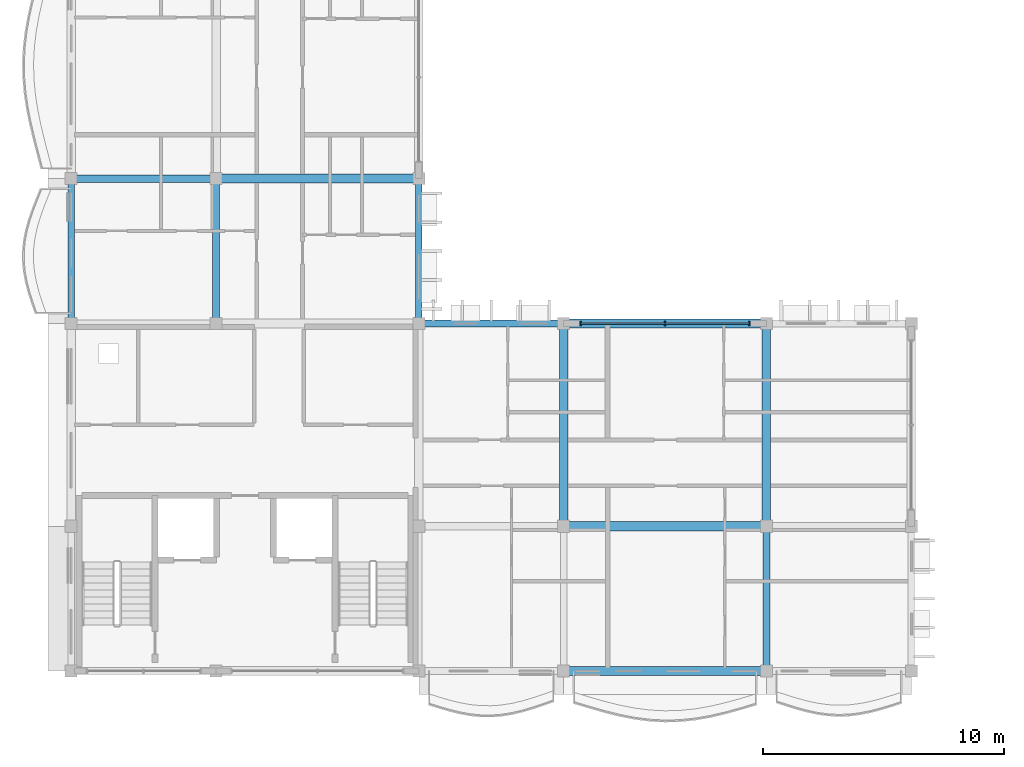
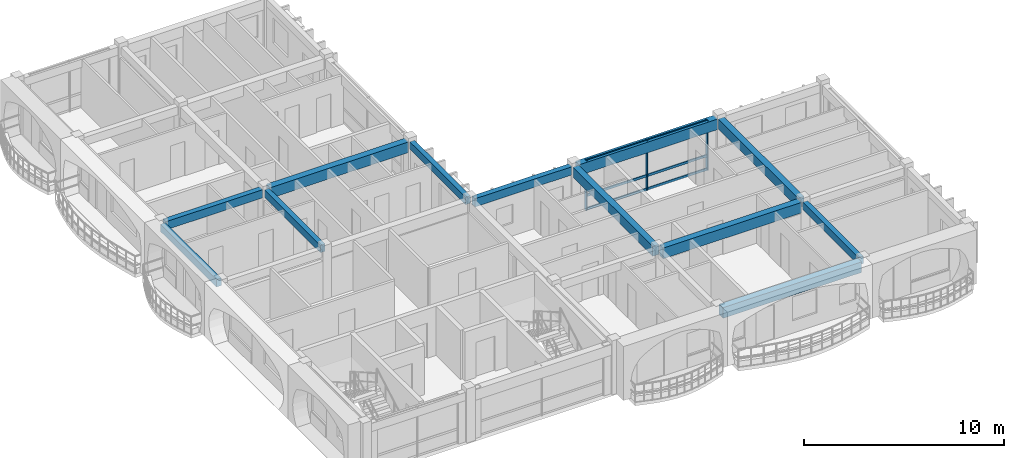
# One storey, part 4 of 54: 12 beams, 6 members, 1 element without a shape of its own.
"""IFC4 building model written with IfcOpenShell, lengths in metres."""

import ifcopenshell
import ifcopenshell.guid

model = None  # the IFC model being written
_history = None  # IfcOwnerHistory: only IFC2X3 demands one
_inside = {}  # id of a spatial element -> (the spatial element, [elements in it])
_under = {}  # id of a project, library or spatial element -> (it, [spatial elements below it])
_declared = {}  # id of a project -> (the project, [libraries it declares])
_typed = {}  # id of a type object -> (the type object, [elements of that type])
_made_of = {}  # id of a material, layer set ... -> (it, [elements and type objects made of it])


def new_model(schema):
    """Start an empty IFC model of exactly this schema.

    Asked for "IFC4X3", IfcOpenShell would pick the latest addendum, in which some entities
    have other attributes; the version numbers below select the first issue.
    IFC2X3 requires an IfcOwnerHistory on every rooted entity: one is made here for all.
    """
    global model, _history
    if schema == "IFC4X3":
        model = ifcopenshell.file(schema_version=(4, 3, 0, 0))
    else:
        model = ifcopenshell.file(schema=schema)
    _inside.clear()
    _under.clear()
    _declared.clear()
    _typed.clear()
    _made_of.clear()
    _history = None
    if model.schema == "IFC2X3":
        org = make("IfcOrganization", Name="unknown")
        user = make(
            "IfcPersonAndOrganization",
            ThePerson=make("IfcPerson", FamilyName="unknown"),
            TheOrganization=org,
        )
        app = make(
            "IfcApplication",
            ApplicationDeveloper=org,
            Version="unknown",
            ApplicationFullName="unknown",
            ApplicationIdentifier="unknown",
        )
        _history = make(
            "IfcOwnerHistory",
            OwningUser=user,
            OwningApplication=app,
            ChangeAction="ADDED",
            CreationDate=0,
        )
    return model


def make(cls, **values):
    """One entity of the class cls with the attributes given. An attribute that is None is left unset."""
    return model.create_entity(
        cls, **{name: value for name, value in values.items() if value is not None}
    )


def rooted(cls, **values):
    """An entity with a GlobalId (a new one), such as an element, a storey or a relation."""
    return make(cls, GlobalId=ifcopenshell.guid.new(), OwnerHistory=_history, **values)


def si_unit(unit_type, name, prefix=None):
    """IfcSIUnit, for example si_unit("LENGTHUNIT", "METRE", prefix="MILLI")."""
    return make("IfcSIUnit", UnitType=unit_type, Prefix=prefix, Name=name)


def assignment(units):
    """IfcUnitAssignment: the units of a project."""
    return None if units is None else make("IfcUnitAssignment", Units=units)


def point(xyz):
    """IfcCartesianPoint."""
    return None if xyz is None else make("IfcCartesianPoint", Coordinates=xyz)


def direction(xyz):
    """IfcDirection."""
    return None if xyz is None else make("IfcDirection", DirectionRatios=xyz)


def frame(location, z_axis=None, x_axis=None):
    """IfcAxis2Placement3D, a coordinate frame: its origin and axes. An axis left out is left unset."""
    return make(
        "IfcAxis2Placement3D",
        Location=point(location),
        Axis=direction(z_axis),
        RefDirection=direction(x_axis),
    )


def frame_2d(location, x_axis=None):
    """IfcAxis2Placement2D, a coordinate frame in the plane: its origin and x axis."""
    return make(
        "IfcAxis2Placement2D", Location=point(location), RefDirection=direction(x_axis)
    )


def origin():
    """The frame at (0, 0, 0) with its axes left unset."""
    return frame((0.0, 0.0, 0.0))


def origin_2d():
    """The frame at (0, 0) in the plane with its x axis left unset."""
    return frame_2d((0.0, 0.0))


def place(relative_to, where):
    """IfcLocalPlacement: puts the frame where relative to a parent placement (None: the world)."""
    return make(
        "IfcLocalPlacement", PlacementRelTo=relative_to, RelativePlacement=where
    )


def context(
    kind, dimensions, precision=None, world=None, true_north=None, identifier=None
):
    """IfcGeometricRepresentationContext, for example the 3D "Model" context."""
    return make(
        "IfcGeometricRepresentationContext",
        ContextIdentifier=identifier,
        ContextType=kind,
        CoordinateSpaceDimension=dimensions,
        Precision=precision,
        WorldCoordinateSystem=world,
        TrueNorth=true_north,
    )


def subcontext(parent, identifier, kind, view, scale=None):
    """IfcGeometricRepresentationSubContext, for example "Body" below "Model"."""
    return make(
        "IfcGeometricRepresentationSubContext",
        ContextIdentifier=identifier,
        ContextType=kind,
        ParentContext=parent,
        TargetScale=scale,
        TargetView=view,
    )


def project(units=None, contexts=None):
    """IfcProject with its units and contexts."""
    return rooted(
        "IfcProject",
        Name="project",
        RepresentationContexts=contexts,
        UnitsInContext=assignment(units),
    )


def spatial(cls, under=None, at=None, **own):
    """A site, building, storey or space (cls), placed at a placement, below another one or the project."""
    s = rooted(cls, ObjectPlacement=at, **own)
    if under is not None:
        _under.setdefault(under.id(), (under, []))[1].append(s)
    return s


def profile(cls, at=None, kind="AREA", **sizes):
    """A parametric profile (cls). Its sizes go by their IFC names, for example OverallWidth=200.0."""
    return make(cls, ProfileType=kind, Position=at, **sizes)


def rectangle(**sizes):
    """IfcRectangleProfileDef."""
    return profile("IfcRectangleProfileDef", **sizes)


def extrude(swept, where, along, depth):
    """IfcExtrudedAreaSolid: the profile swept, set in the frame where, extruded along a direction by depth."""
    return make(
        "IfcExtrudedAreaSolid",
        SweptArea=swept,
        Position=where,
        ExtrudedDirection=direction(along),
        Depth=depth,
    )


def shape(context_of_items, identifier, shape_type, items):
    """IfcShapeRepresentation: the items that make up one representation, for example the "Body"."""
    return make(
        "IfcShapeRepresentation",
        ContextOfItems=context_of_items,
        RepresentationIdentifier=identifier,
        RepresentationType=shape_type,
        Items=items,
    )


def material(Name=None, Category=None):
    """IfcMaterial."""
    return make("IfcMaterial", Name=Name, Category=Category)


def material_profile(
    of_material, cross_section, Name=None, Category=None, Priority=None
):
    """IfcMaterialProfile: a cross section and its material."""
    return make(
        "IfcMaterialProfile",
        Name=Name,
        Material=of_material,
        Profile=cross_section,
        Priority=Priority,
        Category=Category,
    )


def profile_set(profiles, Name=None, composite=None):
    """IfcMaterialProfileSet."""
    return make(
        "IfcMaterialProfileSet",
        Name=Name,
        MaterialProfiles=profiles,
        CompositeProfile=composite,
    )


def made_of(thing, what):
    """Note that an element or type object is made of a material, layer set ...; save() writes the relation."""
    if what is not None:
        _made_of.setdefault(what.id(), (what, []))[1].append(thing)
    return thing


def type_object(cls, material=None, **own):
    """A type object (cls), such as IfcWallType, which elements share."""
    return made_of(rooted(cls, **own), material)


def element(
    cls,
    number,
    at=None,
    inside=None,
    cuts=None,
    type_object=None,
    material=None,
    context=None,
    identifier="Body",
    shape_type=None,
    held_by="IfcProductDefinitionShape",
    body=None,
    shapes=None,
    **own,
):
    """One element of the class cls, such as IfcWall. Its Tag is "e" and its number.

    at: its placement. inside: the storey or other place that contains it. cuts: it is an
    opening in that element (IfcRelVoidsElement). A single representation is given by context,
    identifier, shape_type and body (its items); several are given by shapes. held_by: the class
    of the entity that holds the representations. save() writes the other relations.
    """
    e = rooted(cls, Tag="e%d" % number, ObjectPlacement=at, **own)
    if body is not None:
        shapes = [shape(context, identifier, shape_type, body)]
    if shapes is not None:
        e.Representation = make(held_by, Representations=shapes)
    if inside is not None:
        _inside.setdefault(inside.id(), (inside, []))[1].append(e)
    if cuts is not None:
        rooted(
            "IfcRelVoidsElement", RelatingBuildingElement=cuts, RelatedOpeningElement=e
        )
    if type_object is not None:
        _typed.setdefault(type_object.id(), (type_object, []))[1].append(e)
    return made_of(e, material)


def aggregate(whole, parts):
    """IfcRelAggregates: a whole, such as a stair, and the parts it consists of."""
    return rooted("IfcRelAggregates", RelatingObject=whole, RelatedObjects=parts)


def save(model, path):
    """Write the relations noted so far, then the file.

    IfcRelAggregates (storeys below a building ...), IfcRelContainedInSpatialStructure (elements
    in a storey), IfcRelDefinesByType, IfcRelAssociatesMaterial and IfcRelDeclares: one each for
    every whole, place, type object, material and project.
    """
    for whole, parts in _under.values():
        aggregate(whole, parts)
    for where, things in _inside.values():
        rooted(
            "IfcRelContainedInSpatialStructure",
            RelatedElements=things,
            RelatingStructure=where,
        )
    for kind, things in _typed.values():
        rooted("IfcRelDefinesByType", RelatedObjects=things, RelatingType=kind)
    for what, things in _made_of.values():
        rooted("IfcRelAssociatesMaterial", RelatedObjects=things, RelatingMaterial=what)
    for by, libraries in _declared.values():
        rooted("IfcRelDeclares", RelatingContext=by, RelatedDefinitions=libraries)
    model.write(path)


model = new_model("IFC4")

# Units and contexts
model_context = context("Model", 3, precision=1e-05, world=origin(), true_north=direction((0.0, 1.0)))
body_context = subcontext(model_context, "Body", "Model", "MODEL_VIEW")
ifc_project = project(units=[si_unit("LENGTHUNIT", "METRE"), si_unit("AREAUNIT", "SQUARE_METRE"), si_unit("VOLUMEUNIT", "CUBIC_METRE"), si_unit("PLANEANGLEUNIT", "RADIAN"), si_unit("MASSUNIT", "GRAM", prefix="KILO"), si_unit("THERMODYNAMICTEMPERATUREUNIT", "KELVIN")], contexts=[model_context])

# Site, building, storey
site_placement = place(None, origin())
site = spatial("IfcSite", under=ifc_project, at=site_placement, CompositionType="ELEMENT")
building_placement = place(site_placement, origin())
building = spatial("IfcBuilding", under=site, at=building_placement, Name="Thalorik Housing Commons", CompositionType="ELEMENT")
storey_placement = place(building_placement, frame((0.0, 0.0, 31.199951171875)))
storey = spatial("IfcBuildingStorey", under=building, at=storey_placement, Name="L09", CompositionType="ELEMENT", Elevation=31.199951171875)

# Curtain wall, members
ifc_material_1 = material(Name="Anodised aluminium and solar-control low-E glass", Category="aluminium")
curtain_wall_type = type_object("IfcCurtainWallType", Name="ARC-CW-LOUNGE", PredefinedType="USERDEFINED", material=ifc_material_1)
curtain_wall_placement = place(storey_placement, origin())
curtain_wall = element("IfcCurtainWall", 1, at=curtain_wall_placement, inside=storey, type_object=curtain_wall_type, Name="L09 Curtain Wall CW-RES-L09-C-170", ObjectType="CURTAIN WALL", PredefinedType="USERDEFINED")
ifc_material_2 = material(Name="Anodised aluminium 6063-T6", Category="aluminium")
ifc_material_profile_1 = material_profile(ifc_material_2, rectangle(XDim=0.06494140625, YDim=0.179931640625, at=origin_2d()), Name="ALU MUL 65x180", Category="aluminium")
ifc_profile_set_1 = profile_set([ifc_material_profile_1], Name="Anodised aluminium 6063-T6")
member_type_1 = type_object("IfcMemberType", Name="ARC-CW-MUL-65x180", PredefinedType="MULLION", material=ifc_profile_set_1)
member_1_placement = place(storey_placement, frame((36.5, 22.800048828125, 0.0), z_axis=(0.0, 0.0, 1.0), x_axis=(-1.0, 0.0, 0.0)))
member_1 = element("IfcMember", 2, at=member_1_placement, type_object=member_type_1, Name="CW-RES-L09-C-170 Mullion 1", PredefinedType="MULLION", context=body_context, shape_type="SweptSolid", body=[
    extrude(rectangle(XDim=0.06494140625, YDim=0.179931640625, at=origin_2d()), origin(), (0.0, 0.0, 1.0), 3.0400390625),
])
member_2_placement = place(storey_placement, frame((33.0, 22.800048828125, 0.0), z_axis=(0.0, 0.0, 1.0), x_axis=(-1.0, 0.0, 0.0)))
member_2 = element("IfcMember", 3, at=member_2_placement, type_object=member_type_1, Name="CW-RES-L09-C-170 Mullion 2", PredefinedType="MULLION", context=body_context, shape_type="SweptSolid", body=[
    extrude(rectangle(XDim=0.06494140625, YDim=0.179931640625, at=origin_2d()), origin(), (0.0, 0.0, 1.0), 3.0400390625),
])
member_3_placement = place(storey_placement, frame((29.5, 22.800048828125, 0.0), z_axis=(0.0, 0.0, 1.0), x_axis=(-1.0, 0.0, 0.0)))
member_3 = element("IfcMember", 4, at=member_3_placement, type_object=member_type_1, Name="CW-RES-L09-C-170 Mullion 3", PredefinedType="MULLION", context=body_context, shape_type="SweptSolid", body=[
    extrude(rectangle(XDim=0.06494140625, YDim=0.179931640625, at=origin_2d()), origin(), (0.0, 0.0, 1.0), 3.0400390625),
])
ifc_material_profile_2 = material_profile(ifc_material_2, rectangle(XDim=0.06494140625, YDim=0.14990234375, at=origin_2d()), Name="ALU TRN 65x150", Category="aluminium")
ifc_profile_set_2 = profile_set([ifc_material_profile_2], Name="Anodised aluminium 6063-T6")
member_type_2 = type_object("IfcMemberType", Name="ARC-CW-TRN-65x150", PredefinedType="USERDEFINED", material=ifc_profile_set_2)
member_4_placement = place(storey_placement, frame((36.5, 22.800048828125, 0.054931640625), z_axis=(-1.0, 0.0, 0.0), x_axis=(0.0, -1.0, 0.0)))
member_4 = element("IfcMember", 5, at=member_4_placement, type_object=member_type_2, Name="CW-RES-L09-C-170 Transom 1", ObjectType="TRANSOM", PredefinedType="USERDEFINED", context=body_context, shape_type="SweptSolid", body=[
    extrude(rectangle(XDim=0.06494140625, YDim=0.14990234375, at=origin_2d()), origin(), (0.0, 0.0, 1.0), 7.0),
])
member_5_placement = place(storey_placement, frame((36.5, 22.800048828125, 0.880126953125), z_axis=(-1.0, 0.0, 0.0), x_axis=(0.0, -1.0, 0.0)))
member_5 = element("IfcMember", 6, at=member_5_placement, type_object=member_type_2, Name="CW-RES-L09-C-170 Transom 2", ObjectType="TRANSOM", PredefinedType="USERDEFINED", context=body_context, shape_type="SweptSolid", body=[
    extrude(rectangle(XDim=0.06494140625, YDim=0.14990234375, at=origin_2d()), origin(), (0.0, 0.0, 1.0), 7.0),
])
member_6_placement = place(storey_placement, frame((36.5, 22.800048828125, 2.985107421875), z_axis=(-1.0, 0.0, 0.0), x_axis=(0.0, -1.0, 0.0)))
member_6 = element("IfcMember", 7, at=member_6_placement, type_object=member_type_2, Name="CW-RES-L09-C-170 Transom 3", ObjectType="TRANSOM", PredefinedType="USERDEFINED", context=body_context, shape_type="SweptSolid", body=[
    extrude(rectangle(XDim=0.06494140625, YDim=0.14990234375, at=origin_2d()), origin(), (0.0, 0.0, 1.0), 7.0),
])
aggregate(curtain_wall, [member_1, member_2, member_3, member_4, member_5, member_6])

# Beams
ifc_material_3 = material(Name="Precast concrete C40/50", Category="concrete")
ifc_material_profile_3 = material_profile(ifc_material_3, rectangle(XDim=0.280029296875, YDim=0.449951171875, at=origin_2d()), Name="PC 280x450", Category="concrete")
ifc_profile_set_3 = profile_set([ifc_material_profile_3], Name="Precast concrete C40/50")
beam_type_1 = type_object("IfcBeamType", Name="STR-BM-PC280x450", PredefinedType="BEAM", material=ifc_profile_set_3)
for number, where, z_axis, x_axis, name in (
    (8, (8.39990234375, 23.0, 2.81494140625), (0.0, 1.0, 0.0), (-1.0, 0.0, 0.0), "L09 Beam B-450"),
    (9, (14.39990234375, 23.0, 2.81494140625), (0.0, 1.0, 0.0), (-1.0, 0.0, 0.0), "L09 Beam B-450"),
    (10, (22.800048828125, 23.0, 2.81494140625), (0.0, 1.0, 0.0), (-1.0, 0.0, 0.0), "L09 Beam B-450"),
):
    element("IfcBeam", number, at=place(storey_placement, frame(where, z_axis=z_axis, x_axis=x_axis)), inside=storey, type_object=beam_type_1, Name=name, PredefinedType="BEAM", context=body_context, shape_type="SweptSolid", body=[
        extrude(rectangle(XDim=0.280029296875, YDim=0.449951171875, at=origin_2d()), origin(), (0.0, 0.0, 1.0), 5.60009765625),
    ])
beam_1_placement = place(storey_placement, frame((37.199951171875, 8.60009765625, 2.81494140625), z_axis=(0.0, 1.0, 0.0), x_axis=(-1.0, 0.0, 0.0)))
element("IfcBeam", 11, at=beam_1_placement, inside=storey, type_object=beam_type_1, Name="L09 Beam B-450", PredefinedType="BEAM", context=body_context, shape_type="SweptSolid", body=[
    extrude(rectangle(XDim=0.280029296875, YDim=0.449951171875, at=origin_2d()), origin(), (0.0, 0.0, 1.0), 5.599853515625),
])
ifc_material_profile_4 = material_profile(ifc_material_3, rectangle(XDim=0.300048828125, YDim=0.5, at=origin_2d()), Name="PC 300x500", Category="concrete")
ifc_profile_set_4 = profile_set([ifc_material_profile_4], Name="Precast concrete C40/50")
beam_type_2 = type_object("IfcBeamType", Name="STR-BM-PC300x500", PredefinedType="BEAM", material=ifc_profile_set_4)
beam_2_placement = place(storey_placement, frame((23.0, 22.800048828125, 2.7900390625), z_axis=(1.0, 0.0, 0.0), x_axis=(0.0, 1.0, 0.0)))
element("IfcBeam", 12, at=beam_2_placement, inside=storey, type_object=beam_type_2, Name="L09 Beam B-500", PredefinedType="BEAM", context=body_context, shape_type="SweptSolid", body=[
    extrude(rectangle(XDim=0.300048828125, YDim=0.5, at=origin_2d()), origin(), (0.0, 0.0, 1.0), 5.60009765625),
])
beam_3_placement = place(storey_placement, frame((8.60009765625, 28.800048828125, 2.7900390625), z_axis=(1.0, 0.0, 0.0), x_axis=(0.0, 1.0, 0.0)))
element("IfcBeam", 13, at=beam_3_placement, inside=storey, type_object=beam_type_2, Name="L09 Beam B-500", PredefinedType="BEAM", context=body_context, shape_type="SweptSolid", body=[
    extrude(rectangle(XDim=0.300048828125, YDim=0.5, at=origin_2d()), origin(), (0.0, 0.0, 1.0), 5.599853515625),
])
ifc_material_profile_5 = material_profile(ifc_material_3, rectangle(XDim=0.35009765625, YDim=0.60009765625, at=origin_2d()), Name="PC 350x600", Category="concrete")
ifc_profile_set_5 = profile_set([ifc_material_profile_5], Name="Precast concrete C40/50")
beam_type_3 = type_object("IfcBeamType", Name="STR-BM-PC350x600", PredefinedType="BEAM", material=ifc_profile_set_5)
for number, where, z_axis, x_axis, name in (
    (14, (28.800048828125, 14.60009765625, 2.739990234375), (0.0, 1.0, 0.0), (-1.0, 0.0, 0.0), "L09 Beam B-600"),
    (15, (37.199951171875, 14.60009765625, 2.739990234375), (0.0, 1.0, 0.0), (-1.0, 0.0, 0.0), "L09 Beam B-600"),
):
    element("IfcBeam", number, at=place(storey_placement, frame(where, z_axis=z_axis, x_axis=x_axis)), inside=storey, type_object=beam_type_3, Name=name, PredefinedType="BEAM", context=body_context, shape_type="SweptSolid", body=[
        extrude(rectangle(XDim=0.35009765625, YDim=0.60009765625, at=origin_2d()), origin(), (0.0, 0.0, 1.0), 8.0),
    ])
ifc_material_profile_6 = material_profile(ifc_material_3, rectangle(XDim=0.3798828125, YDim=0.64990234375, at=origin_2d()), Name="PC 380x650", Category="concrete")
ifc_profile_set_6 = profile_set([ifc_material_profile_6], Name="Precast concrete C40/50")
beam_type_4 = type_object("IfcBeamType", Name="STR-BM-PC380x650", PredefinedType="BEAM", material=ifc_profile_set_6)
for number, where, z_axis, x_axis, name in (
    (16, (29.0, 8.39990234375, 2.715087890625), (1.0, 0.0, 0.0), (0.0, 1.0, 0.0), "L09 Beam B-650"),
    (17, (29.0, 14.39990234375, 2.715087890625), (1.0, 0.0, 0.0), (0.0, 1.0, 0.0), "L09 Beam B-650"),
    (18, (29.0, 22.800048828125, 2.715087890625), (1.0, 0.0, 0.0), (0.0, 1.0, 0.0), "L09 Beam B-650"),
    (19, (14.60009765625, 28.800048828125, 2.715087890625), (1.0, 0.0, 0.0), (0.0, 1.0, 0.0), "L09 Beam B-650"),
):
    element("IfcBeam", number, at=place(storey_placement, frame(where, z_axis=z_axis, x_axis=x_axis)), inside=storey, type_object=beam_type_4, Name=name, PredefinedType="BEAM", context=body_context, shape_type="SweptSolid", body=[
        extrude(rectangle(XDim=0.3798828125, YDim=0.64990234375, at=origin_2d()), origin(), (0.0, 0.0, 1.0), 8.0),
    ])

save(model, "model.ifc")
